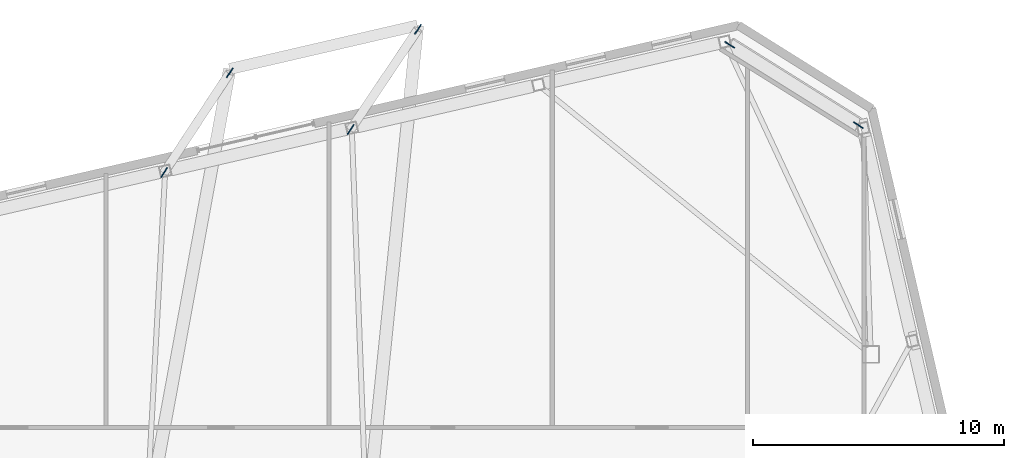
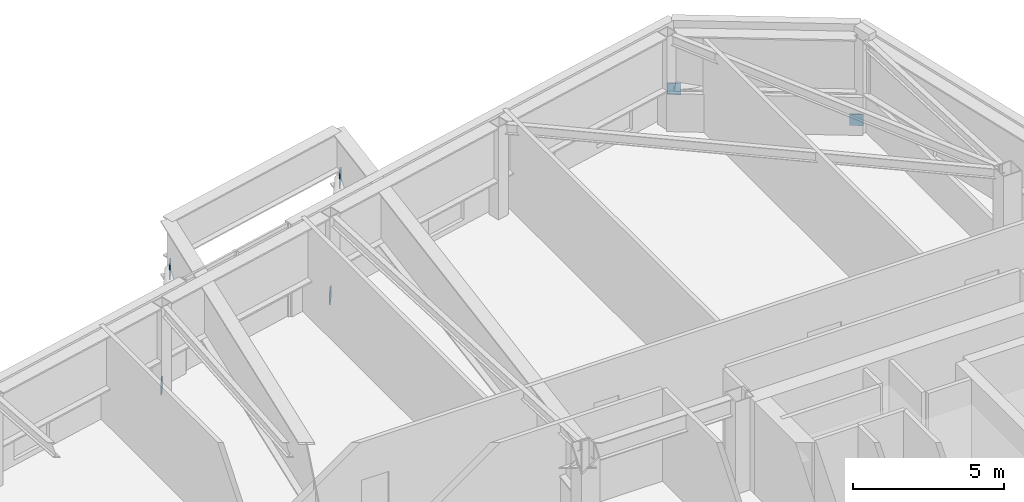
# One storey, part 21 of 23: 6 discrete accessories.
"""IFC4 building model written with IfcOpenShell, lengths in metres."""

import ifcopenshell
import ifcopenshell.guid

model = None  # the IFC model being written
_history = None  # IfcOwnerHistory: only IFC2X3 demands one
_inside = {}  # id of a spatial element -> (the spatial element, [elements in it])
_under = {}  # id of a project, library or spatial element -> (it, [spatial elements below it])
_declared = {}  # id of a project -> (the project, [libraries it declares])
_typed = {}  # id of a type object -> (the type object, [elements of that type])
_made_of = {}  # id of a material, layer set ... -> (it, [elements and type objects made of it])


def new_model(schema):
    """Start an empty IFC model of exactly this schema.

    Asked for "IFC4X3", IfcOpenShell would pick the latest addendum, in which some entities
    have other attributes; the version numbers below select the first issue.
    IFC2X3 requires an IfcOwnerHistory on every rooted entity: one is made here for all.
    """
    global model, _history
    if schema == "IFC4X3":
        model = ifcopenshell.file(schema_version=(4, 3, 0, 0))
    else:
        model = ifcopenshell.file(schema=schema)
    _inside.clear()
    _under.clear()
    _declared.clear()
    _typed.clear()
    _made_of.clear()
    _history = None
    if model.schema == "IFC2X3":
        org = make("IfcOrganization", Name="unknown")
        user = make(
            "IfcPersonAndOrganization",
            ThePerson=make("IfcPerson", FamilyName="unknown"),
            TheOrganization=org,
        )
        app = make(
            "IfcApplication",
            ApplicationDeveloper=org,
            Version="unknown",
            ApplicationFullName="unknown",
            ApplicationIdentifier="unknown",
        )
        _history = make(
            "IfcOwnerHistory",
            OwningUser=user,
            OwningApplication=app,
            ChangeAction="ADDED",
            CreationDate=0,
        )
    return model


def make(cls, **values):
    """One entity of the class cls with the attributes given. An attribute that is None is left unset."""
    return model.create_entity(
        cls, **{name: value for name, value in values.items() if value is not None}
    )


def rooted(cls, **values):
    """An entity with a GlobalId (a new one), such as an element, a storey or a relation."""
    return make(cls, GlobalId=ifcopenshell.guid.new(), OwnerHistory=_history, **values)


def si_unit(unit_type, name, prefix=None):
    """IfcSIUnit, for example si_unit("LENGTHUNIT", "METRE", prefix="MILLI")."""
    return make("IfcSIUnit", UnitType=unit_type, Prefix=prefix, Name=name)


def assignment(units):
    """IfcUnitAssignment: the units of a project."""
    return None if units is None else make("IfcUnitAssignment", Units=units)


def point(xyz):
    """IfcCartesianPoint."""
    return None if xyz is None else make("IfcCartesianPoint", Coordinates=xyz)


def direction(xyz):
    """IfcDirection."""
    return None if xyz is None else make("IfcDirection", DirectionRatios=xyz)


def frame(location, z_axis=None, x_axis=None):
    """IfcAxis2Placement3D, a coordinate frame: its origin and axes. An axis left out is left unset."""
    return make(
        "IfcAxis2Placement3D",
        Location=point(location),
        Axis=direction(z_axis),
        RefDirection=direction(x_axis),
    )


def frame_2d(location, x_axis=None):
    """IfcAxis2Placement2D, a coordinate frame in the plane: its origin and x axis."""
    return make(
        "IfcAxis2Placement2D", Location=point(location), RefDirection=direction(x_axis)
    )


def origin():
    """The frame at (0, 0, 0) with its axes left unset."""
    return frame((0.0, 0.0, 0.0))


def origin_2d():
    """The frame at (0, 0) in the plane with its x axis left unset."""
    return frame_2d((0.0, 0.0))


def place(relative_to, where):
    """IfcLocalPlacement: puts the frame where relative to a parent placement (None: the world)."""
    return make(
        "IfcLocalPlacement", PlacementRelTo=relative_to, RelativePlacement=where
    )


def context(
    kind, dimensions, precision=None, world=None, true_north=None, identifier=None
):
    """IfcGeometricRepresentationContext, for example the 3D "Model" context."""
    return make(
        "IfcGeometricRepresentationContext",
        ContextIdentifier=identifier,
        ContextType=kind,
        CoordinateSpaceDimension=dimensions,
        Precision=precision,
        WorldCoordinateSystem=world,
        TrueNorth=true_north,
    )


def subcontext(parent, identifier, kind, view, scale=None):
    """IfcGeometricRepresentationSubContext, for example "Body" below "Model"."""
    return make(
        "IfcGeometricRepresentationSubContext",
        ContextIdentifier=identifier,
        ContextType=kind,
        ParentContext=parent,
        TargetScale=scale,
        TargetView=view,
    )


def project(units=None, contexts=None):
    """IfcProject with its units and contexts."""
    return rooted(
        "IfcProject",
        Name="project",
        RepresentationContexts=contexts,
        UnitsInContext=assignment(units),
    )


def spatial(cls, under=None, at=None, **own):
    """A site, building, storey or space (cls), placed at a placement, below another one or the project."""
    s = rooted(cls, ObjectPlacement=at, **own)
    if under is not None:
        _under.setdefault(under.id(), (under, []))[1].append(s)
    return s


def profile(cls, at=None, kind="AREA", **sizes):
    """A parametric profile (cls). Its sizes go by their IFC names, for example OverallWidth=200.0."""
    return make(cls, ProfileType=kind, Position=at, **sizes)


def rectangle(**sizes):
    """IfcRectangleProfileDef."""
    return profile("IfcRectangleProfileDef", **sizes)


def extrude(swept, where, along, depth):
    """IfcExtrudedAreaSolid: the profile swept, set in the frame where, extruded along a direction by depth."""
    return make(
        "IfcExtrudedAreaSolid",
        SweptArea=swept,
        Position=where,
        ExtrudedDirection=direction(along),
        Depth=depth,
    )


def shape(context_of_items, identifier, shape_type, items):
    """IfcShapeRepresentation: the items that make up one representation, for example the "Body"."""
    return make(
        "IfcShapeRepresentation",
        ContextOfItems=context_of_items,
        RepresentationIdentifier=identifier,
        RepresentationType=shape_type,
        Items=items,
    )


def material(Name=None, Category=None):
    """IfcMaterial."""
    return make("IfcMaterial", Name=Name, Category=Category)


def made_of(thing, what):
    """Note that an element or type object is made of a material, layer set ...; save() writes the relation."""
    if what is not None:
        _made_of.setdefault(what.id(), (what, []))[1].append(thing)
    return thing


def type_object(cls, material=None, **own):
    """A type object (cls), such as IfcWallType, which elements share."""
    return made_of(rooted(cls, **own), material)


def element(
    cls,
    number,
    at=None,
    inside=None,
    cuts=None,
    type_object=None,
    material=None,
    context=None,
    identifier="Body",
    shape_type=None,
    held_by="IfcProductDefinitionShape",
    body=None,
    shapes=None,
    **own,
):
    """One element of the class cls, such as IfcWall. Its Tag is "e" and its number.

    at: its placement. inside: the storey or other place that contains it. cuts: it is an
    opening in that element (IfcRelVoidsElement). A single representation is given by context,
    identifier, shape_type and body (its items); several are given by shapes. held_by: the class
    of the entity that holds the representations. save() writes the other relations.
    """
    e = rooted(cls, Tag="e%d" % number, ObjectPlacement=at, **own)
    if body is not None:
        shapes = [shape(context, identifier, shape_type, body)]
    if shapes is not None:
        e.Representation = make(held_by, Representations=shapes)
    if inside is not None:
        _inside.setdefault(inside.id(), (inside, []))[1].append(e)
    if cuts is not None:
        rooted(
            "IfcRelVoidsElement", RelatingBuildingElement=cuts, RelatedOpeningElement=e
        )
    if type_object is not None:
        _typed.setdefault(type_object.id(), (type_object, []))[1].append(e)
    return made_of(e, material)


def aggregate(whole, parts):
    """IfcRelAggregates: a whole, such as a stair, and the parts it consists of."""
    return rooted("IfcRelAggregates", RelatingObject=whole, RelatedObjects=parts)


def save(model, path):
    """Write the relations noted so far, then the file.

    IfcRelAggregates (storeys below a building ...), IfcRelContainedInSpatialStructure (elements
    in a storey), IfcRelDefinesByType, IfcRelAssociatesMaterial and IfcRelDeclares: one each for
    every whole, place, type object, material and project.
    """
    for whole, parts in _under.values():
        aggregate(whole, parts)
    for where, things in _inside.values():
        rooted(
            "IfcRelContainedInSpatialStructure",
            RelatedElements=things,
            RelatingStructure=where,
        )
    for kind, things in _typed.values():
        rooted("IfcRelDefinesByType", RelatedObjects=things, RelatingType=kind)
    for what, things in _made_of.values():
        rooted("IfcRelAssociatesMaterial", RelatedObjects=things, RelatingMaterial=what)
    for by, libraries in _declared.values():
        rooted("IfcRelDeclares", RelatingContext=by, RelatedDefinitions=libraries)
    model.write(path)


model = new_model("IFC4")

# Units and contexts
model_context = context("Model", 3, precision=1e-05, world=origin(), true_north=direction((0.0, 1.0)))
body_context = subcontext(model_context, "Body", "Model", "MODEL_VIEW")
ifc_project = project(units=[si_unit("LENGTHUNIT", "METRE"), si_unit("AREAUNIT", "SQUARE_METRE"), si_unit("VOLUMEUNIT", "CUBIC_METRE"), si_unit("PLANEANGLEUNIT", "RADIAN"), si_unit("MASSUNIT", "GRAM", prefix="KILO")], contexts=[model_context])

# Site, building, storey
site_placement = place(None, origin())
site = spatial("IfcSite", under=ifc_project, at=site_placement, CompositionType="ELEMENT")
building_placement = place(site_placement, origin())
building = spatial("IfcBuilding", under=site, at=building_placement, Name="Tavrogorsk Clinical Tower", CompositionType="ELEMENT")
storey_placement = place(building_placement, frame((0.0, 0.0, 305.0)))
storey = spatial("IfcBuildingStorey", under=building, at=storey_placement, Name="L71", CompositionType="ELEMENT", Elevation=305.0)

# Discrete accessories
ifc_material = material(Name="Structural steel S440", Category="steel")
discrete_accessory_type = type_object("IfcDiscreteAccessoryType", Name="GussetPlateBracket_25", PredefinedType="BRACKET", material=ifc_material)
for number, where, z_axis, x_axis, name in (
    (1, (24.004150390625, 22.34033203125, 0.112060546875), (0.0, 0.0, 1.0), (-0.848048096156, 0.529919264233, 0.0), "L71 Brace Gusset Plate EXOCRN-L71-2-A"),
    (2, (18.8759765625, 25.544921875, 1.218017578125), (0.0, 0.0, 1.0), (-0.848048096156, 0.529919264233, 0.0), "L71 Brace Gusset Plate EXOCRN-L71-2-B"),
    (3, (-3.676513671875, 20.4501953125, 0.19775390625), (0.0, 0.0, 1.0), (0.549751988372, 0.835327930385, 0.0), "L71 Brace Gusset Plate DRB-10-STRUT-L-L72-A"),
):
    element("IfcDiscreteAccessory", number, at=place(storey_placement, frame(where, z_axis=z_axis, x_axis=x_axis)), inside=storey, type_object=discrete_accessory_type, Name=name, PredefinedType="BRACKET", context=body_context, shape_type="SweptSolid", body=[
        extrude(rectangle(XDim=0.4599609375, YDim=0.0400390625, at=origin_2d()), origin(), (0.0, 0.0, 1.0), 0.4599609375),
    ])
discrete_accessory_1_placement = place(storey_placement, frame((-1.059814453125, 24.4267578125, 1.5322265625), z_axis=(0.0, 0.0, 1.0), x_axis=(0.549751988372, 0.835327930385, 0.0)))
element("IfcDiscreteAccessory", 4, at=discrete_accessory_1_placement, inside=storey, type_object=discrete_accessory_type, Name="L71 Brace Gusset Plate DRB-10-STRUT-L-L72-B", PredefinedType="BRACKET", context=body_context, shape_type="SweptSolid", body=[
    extrude(rectangle(XDim=0.4599609375, YDim=0.0400390625, at=origin_2d()), origin(), (0.0, 0.0, 1.0), 0.56005859375),
])
discrete_accessory_2_placement = place(storey_placement, frame((3.76171875, 22.167724609375, 0.197998046875), z_axis=(0.0, 0.0, 1.0), x_axis=(0.55774510898, 0.830012285095, 0.0)))
element("IfcDiscreteAccessory", 5, at=discrete_accessory_2_placement, inside=storey, type_object=discrete_accessory_type, Name="L71 Brace Gusset Plate DRB-10-STRUT-R-L72-A", PredefinedType="BRACKET", context=body_context, shape_type="SweptSolid", body=[
    extrude(rectangle(XDim=0.4599609375, YDim=0.0400390625, at=origin_2d()), origin(), (0.0, 0.0, 1.0), 0.4599609375),
])
discrete_accessory_3_placement = place(storey_placement, frame((6.443603515625, 26.158447265625, 1.531982421875), z_axis=(0.0, 0.0, 1.0), x_axis=(0.55774510898, 0.830012285095, 0.0)))
element("IfcDiscreteAccessory", 6, at=discrete_accessory_3_placement, inside=storey, type_object=discrete_accessory_type, Name="L71 Brace Gusset Plate DRB-10-STRUT-R-L72-B", PredefinedType="BRACKET", context=body_context, shape_type="SweptSolid", body=[
    extrude(rectangle(XDim=0.4599609375, YDim=0.0400390625, at=origin_2d()), origin(), (0.0, 0.0, 1.0), 0.56005859375),
])

save(model, "model.ifc")
